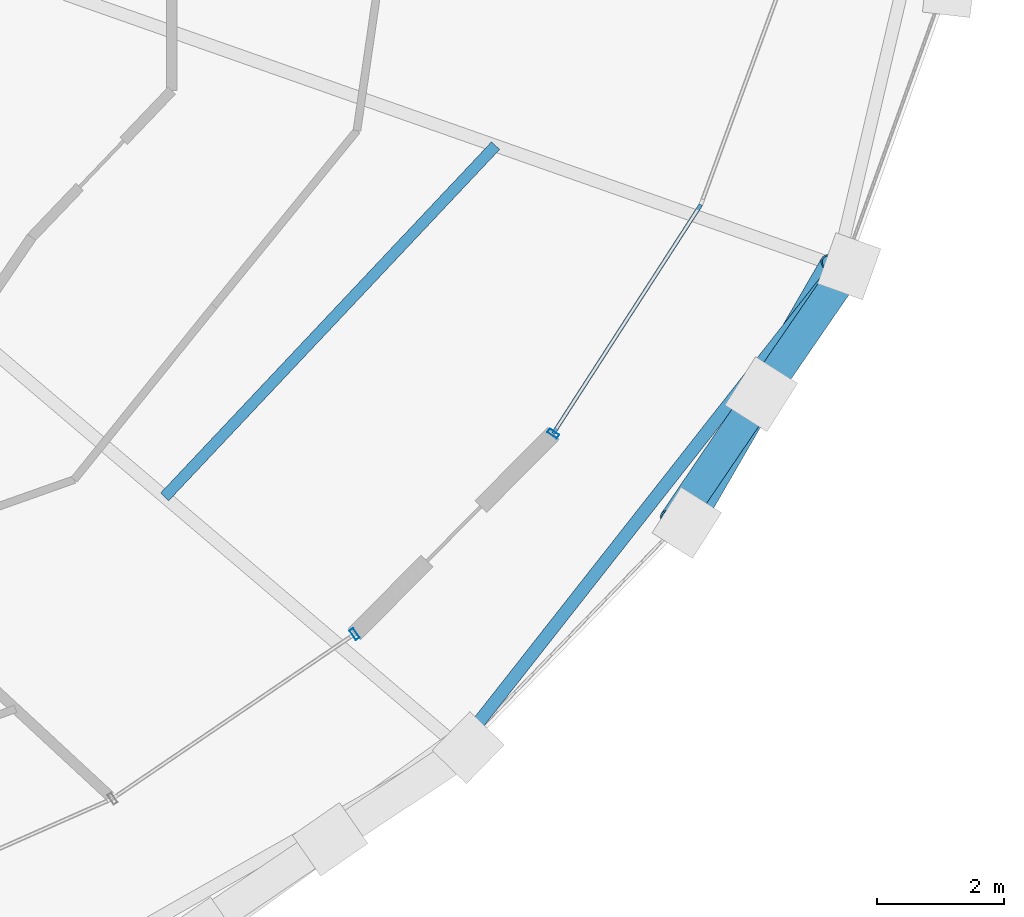
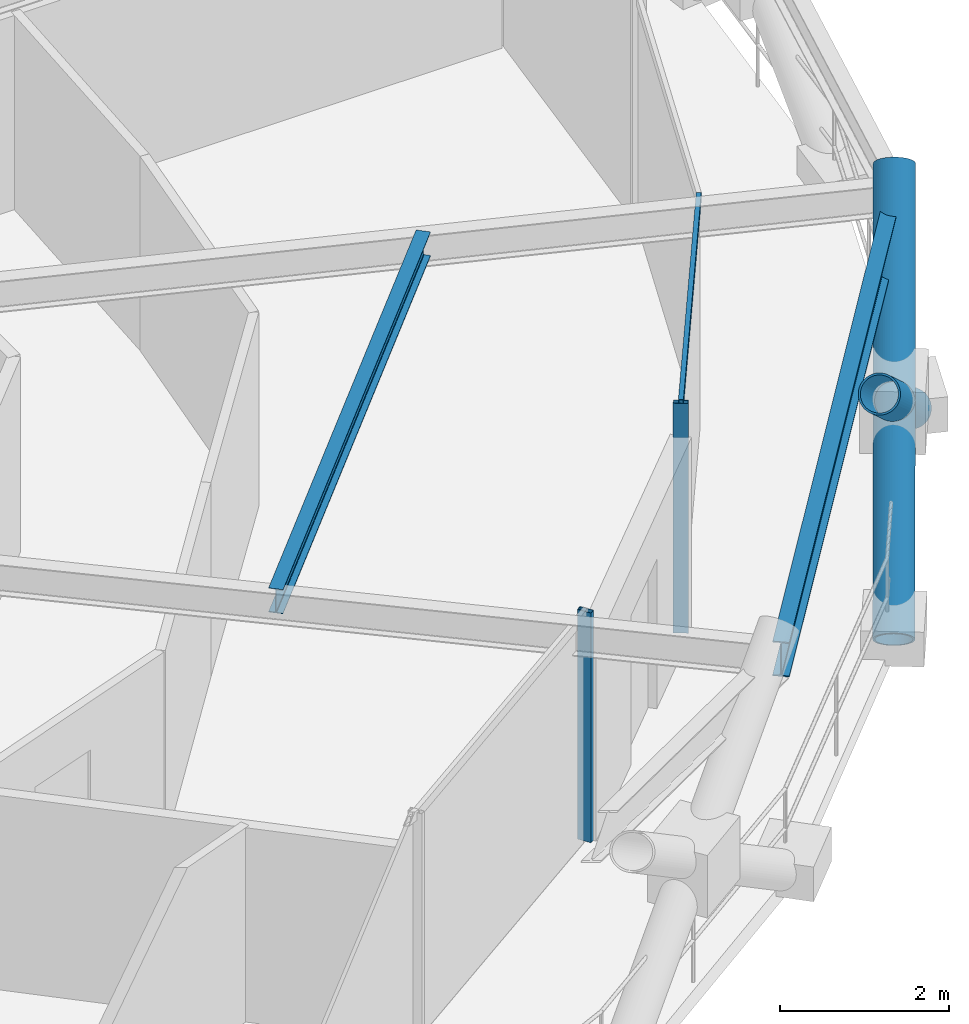
# One storey, part 6 of 15: 6 members, 2 beams, 2 elements without a shape of their own.
"""IFC4 building model written with IfcOpenShell, lengths in metres."""

from ifc_helpers import new_model, si_unit, direction, frame, origin, origin_2d, place, context, subcontext, project, spatial, hollow_rectangle, hollow_circle, i_section, extrude, material, layer, layer_set, material_profile, profile_set, type_object, element, aggregate, save


model = new_model("IFC4")

# Units and contexts
model_context = context("Model", 3, precision=1e-05, world=origin(), true_north=direction((0.0, 1.0)))
body_context = subcontext(model_context, "Body", "Model", "MODEL_VIEW")
ifc_project = project(units=[si_unit("LENGTHUNIT", "METRE"), si_unit("AREAUNIT", "SQUARE_METRE"), si_unit("VOLUMEUNIT", "CUBIC_METRE"), si_unit("PLANEANGLEUNIT", "RADIAN"), si_unit("MASSUNIT", "GRAM", prefix="KILO")], contexts=[model_context])

# Site, building, storey
site_placement = place(None, origin())
site = spatial("IfcSite", under=ifc_project, at=site_placement, CompositionType="ELEMENT")
building_placement = place(site_placement, origin())
building = spatial("IfcBuilding", under=site, at=building_placement, Name="Veldorina Hangang Commons", CompositionType="ELEMENT")
storey_placement = place(building_placement, frame((0.0, 0.0, 182.0)))
storey = spatial("IfcBuildingStorey", under=building, at=storey_placement, Name="L47", CompositionType="ELEMENT", Elevation=182.0)

# Beams
ifc_material_1 = material(Name="Steel SM355-TMC", Category="steel")
ifc_material_profile_1 = material_profile(ifc_material_1, i_section(OverallWidth=0.175048828125, OverallDepth=0.35009765625, WebThickness=0.007080078125, FlangeThickness=0.010986328125, FilletRadius=0.012939453125, at=origin_2d()), Name="H-350x175x7x11")
ifc_profile_set_1 = profile_set([ifc_material_profile_1], Name="Steel SM355-TMC")
beam_type_1 = type_object("IfcBeamType", Name="BM-JST350", PredefinedType="JOIST", material=ifc_profile_set_1)
beam_1_placement = place(storey_placement, frame((46.73779296875, 11.47509765625, 3.175048828125), z_axis=(0.685816257858, 0.727774731945, 0.0), x_axis=(-0.727774731945, 0.685816257858, 0.0)))
element("IfcBeam", 1, at=beam_1_placement, inside=storey, type_object=beam_type_1, Name="L47 secondary floor joist 15", PredefinedType="JOIST", context=body_context, shape_type="SweptSolid", body=[
    extrude(i_section(OverallWidth=0.175048828125, OverallDepth=0.35009765625, WebThickness=0.007080078125, FlangeThickness=0.010986328125, FilletRadius=0.012939453125, at=origin_2d()), origin(), (0.0, 0.0, 1.0), 7.570068359375),
])
ifc_material_2 = material(Name="Steel SM420-TMC", Category="steel")
ifc_material_profile_2 = material_profile(ifc_material_2, i_section(OverallWidth=0.199951171875, OverallDepth=0.5, WebThickness=0.010009765625, FlangeThickness=0.01611328125, FilletRadius=0.01611328125, at=origin_2d()), Name="H-500x200x10x16")
ifc_profile_set_2 = profile_set([ifc_material_profile_2], Name="Steel SM420-TMC")
beam_type_2 = type_object("IfcBeamType", Name="BM-RB500", PredefinedType="BEAM", material=ifc_profile_set_2)
beam_2_placement = place(storey_placement, frame((51.357666015625, 7.549072265625, 3.10009765625), z_axis=(0.618083179485, 0.786112703903, 0.0), x_axis=(-0.786112703903, 0.618083179485, 0.0)))
element("IfcBeam", 2, at=beam_2_placement, inside=storey, type_object=beam_type_2, Name="L47 perimeter hoop ring beam 28", PredefinedType="BEAM", context=body_context, shape_type="SweptSolid", body=[
    extrude(i_section(OverallWidth=0.199951171875, OverallDepth=0.5, WebThickness=0.010009765625, FlangeThickness=0.01611328125, FilletRadius=0.01611328125, at=origin_2d()), origin(), (0.0, 0.0, 1.0), 9.60107421875),
])

# Curtain wall, member
ifc_material_3 = material(Name="Glass Low-E Triple IGU", Category="glass")
ifc_layer = layer(ifc_material_3, 0.179931640625)
ifc_layer_set = layer_set([ifc_layer], Name="Glass Low-E Triple IGU")
curtain_wall_type = type_object("IfcCurtainWallType", Name="CW-SYS-Z2", PredefinedType="NOTDEFINED", material=ifc_layer_set)
curtain_wall_1_placement = place(storey_placement, origin())
curtain_wall_1 = element("IfcCurtainWall", 3, at=curtain_wall_1_placement, inside=storey, type_object=curtain_wall_type, Name="L47 unitised curtain wall CW-L47-R1", PredefinedType="NOTDEFINED")
ifc_material_4 = material(Name="Aluminium Anodized AA6063-T6", Category="aluminium")
ifc_material_profile_3 = material_profile(ifc_material_4, hollow_rectangle(XDim=0.070068359375, YDim=0.179931640625, WallThickness=0.00390625, at=origin_2d()), Name="ALU-RHS-180x70x4")
ifc_profile_set_3 = profile_set([ifc_material_profile_3], Name="Aluminium Anodized AA6063-T6")
member_type_1 = type_object("IfcMemberType", Name="CW-MUL-180", PredefinedType="MULLION", material=ifc_profile_set_3)
member_1_placement = place(storey_placement, frame((49.71728515625, 9.323486328125, 0.0), z_axis=(0.0, 0.0, 1.0), x_axis=(-0.826992272221, -0.56221328843, 0.0)))
member_1 = element("IfcMember", 4, at=member_1_placement, type_object=member_type_1, Name="CW-L47-R1 vertical mullion 5", PredefinedType="MULLION", context=body_context, shape_type="SweptSolid", body=[
    extrude(hollow_rectangle(XDim=0.070068359375, YDim=0.179931640625, WallThickness=0.00390625, at=origin_2d()), origin(), (0.0, 0.0, 1.0), 3.31005859375),
])
aggregate(curtain_wall_1, [member_1])

# Curtain wall, members
curtain_wall_2_placement = place(storey_placement, origin())
curtain_wall_2 = element("IfcCurtainWall", 5, at=curtain_wall_2_placement, inside=storey, type_object=curtain_wall_type, Name="L47 unitised curtain wall CW-L47-R2", PredefinedType="NOTDEFINED")
member_2_placement = place(storey_placement, frame((52.83349609375, 12.46875, 0.0), z_axis=(0.0, 0.0, 1.0), x_axis=(0.542177586725, 0.840263925474, 0.0)))
member_2 = element("IfcMember", 6, at=member_2_placement, type_object=member_type_1, Name="CW-L47-R2 vertical mullion 1", PredefinedType="MULLION", context=body_context, shape_type="SweptSolid", body=[
    extrude(hollow_rectangle(XDim=0.070068359375, YDim=0.179931640625, WallThickness=0.00390625, at=origin_2d()), origin(), (0.0, 0.0, 1.0), 3.31005859375),
])
ifc_material_profile_4 = material_profile(ifc_material_4, hollow_rectangle(XDim=0.06005859375, YDim=0.139892578125, WallThickness=0.00341796875, at=origin_2d()), Name="ALU-RHS-140x60x3.5")
ifc_profile_set_4 = profile_set([ifc_material_profile_4], Name="Aluminium Anodized AA6063-T6")
member_type_2 = type_object("IfcMemberType", Name="CW-TRN-140", PredefinedType="USERDEFINED", material=ifc_profile_set_4)
member_3_placement = place(storey_placement, frame((52.83349609375, 12.46875, 3.27001953125), z_axis=(0.542184162876, 0.840259682197, 0.0), x_axis=(-0.840259682197, 0.542184162876, 0.0)))
member_3 = element("IfcMember", 7, at=member_3_placement, type_object=member_type_2, Name="CW-L47-R2 facet 1 transom 1", ObjectType="TRANSOM", PredefinedType="USERDEFINED", context=body_context, shape_type="SweptSolid", body=[
    extrude(hollow_rectangle(XDim=0.06005859375, YDim=0.139892578125, WallThickness=0.00341796875, at=origin_2d()), origin(), (0.0, 0.0, 1.0), 4.2705078125),
])
aggregate(curtain_wall_2, [member_2, member_3])

# Members
ifc_material_profile_5 = material_profile(ifc_material_2, hollow_circle(Radius=0.25, WallThickness=0.02490234375, at=origin_2d()), Name="CHS-500x25")
ifc_profile_set_5 = profile_set([ifc_material_profile_5], Name="Steel SM420-TMC")
member_type_3 = type_object("IfcMemberType", Name="DG-CHS500", PredefinedType="BRACE", material=ifc_profile_set_5)
member_4_placement = place(storey_placement, frame((54.9287109375, 11.068603515625, 0.0), z_axis=(0.396458155095, 0.684561313736, 0.611716224237), x_axis=(-0.865353274702, 0.501162358885, 0.0)))
element("IfcMember", 8, at=member_4_placement, inside=storey, type_object=member_type_3, Name="L47 continuous perimeter diagrid brace 29", PredefinedType="BRACE", context=body_context, shape_type="SweptSolid", body=[
    extrude(hollow_circle(Radius=0.25, WallThickness=0.02490234375, at=origin_2d()), origin(), (0.0, 0.0, 1.0), 5.88525390625),
])
member_5_placement = place(storey_placement, frame((57.47705078125, 15.0927734375, 0.0), z_axis=(-0.455457879786, -0.662359672691, 0.594842654601), x_axis=(0.823992204737, -0.566601135309, 0.0)))
element("IfcMember", 9, at=member_5_placement, inside=storey, type_object=member_type_3, Name="L47 split perimeter diagrid lower brace 30", PredefinedType="BRACE", context=body_context, shape_type="SweptSolid", body=[
    extrude(hollow_circle(Radius=0.25, WallThickness=0.02490234375, at=origin_2d()), origin(), (0.0, 0.0, 1.0), 3.0302734375),
])
member_6_placement = place(storey_placement, frame((56.096923828125, 13.085693359375, 1.802490234375), z_axis=(-0.450768103207, -0.665404188204, 0.595017128704), x_axis=(0.827912666164, -0.560857038118, 0.0)))
element("IfcMember", 10, at=member_6_placement, inside=storey, type_object=member_type_3, Name="L47 split perimeter diagrid upper brace 30", PredefinedType="BRACE", context=body_context, shape_type="SweptSolid", body=[
    extrude(hollow_circle(Radius=0.25, WallThickness=0.02490234375, at=origin_2d()), origin(), (0.0, 0.0, 1.0), 3.02099609375),
])

save(model, "model.ifc")
